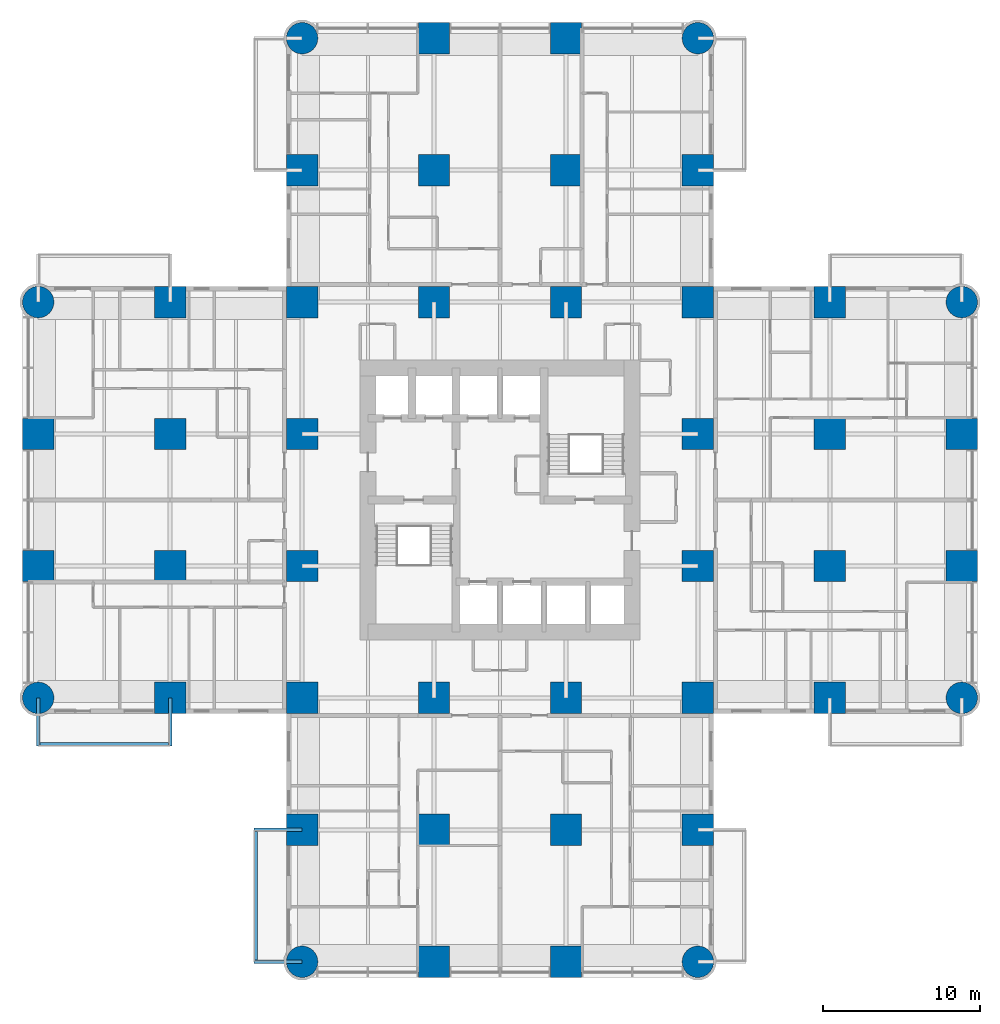
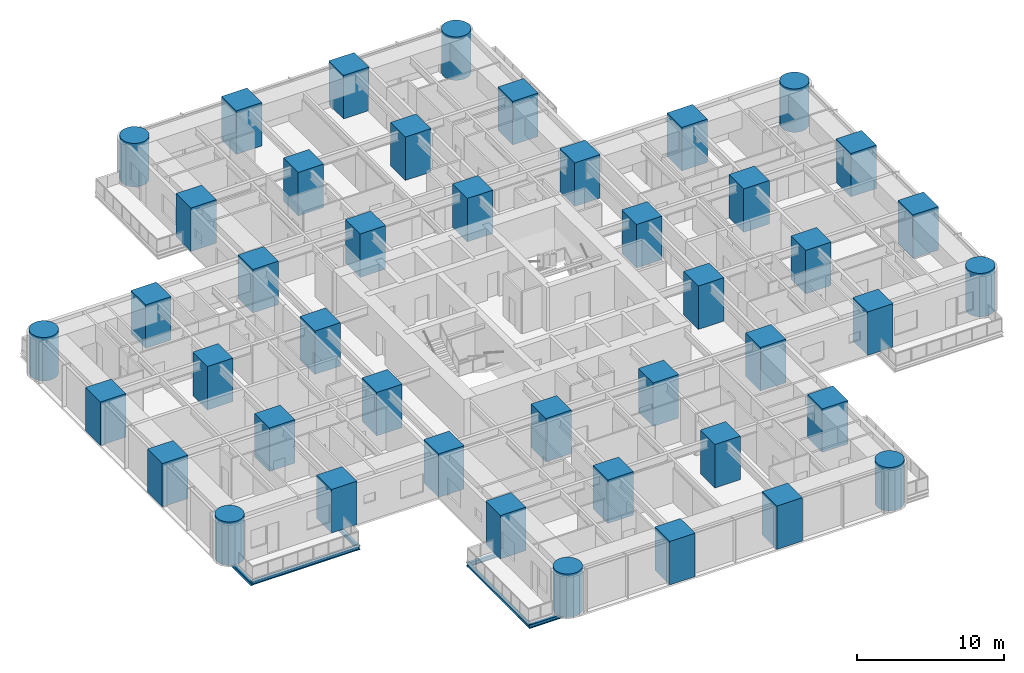
# One storey, part 1 of 17: 44 columns, 6 beams.
"""IFC4 building model written with IfcOpenShell, lengths in metres."""

from ifc_helpers import new_model, si_unit, direction, frame, origin, origin_2d, place, context, subcontext, project, spatial, rectangle, circle, i_section, extrude, material, material_profile, profile_set, type_object, element, save


model = new_model("IFC4")

# Units and contexts
model_context = context("Model", 3, precision=1e-05, world=origin(), true_north=direction((0.0, 1.0)))
body_context = subcontext(model_context, "Body", "Model", "MODEL_VIEW")
ifc_project = project(units=[si_unit("LENGTHUNIT", "METRE"), si_unit("AREAUNIT", "SQUARE_METRE"), si_unit("VOLUMEUNIT", "CUBIC_METRE"), si_unit("PLANEANGLEUNIT", "RADIAN"), si_unit("MASSUNIT", "GRAM", prefix="KILO")], contexts=[model_context])

# Site, building, storey
site_placement = place(None, origin())
site = spatial("IfcSite", under=ifc_project, at=site_placement, CompositionType="ELEMENT")
building_placement = place(site_placement, origin())
building = spatial("IfcBuilding", under=site, at=building_placement, Name="Torre Alcanfor", CompositionType="ELEMENT")
storey_placement = place(building_placement, frame((0.0, 0.0, 95.699951171875)))
storey = spatial("IfcBuildingStorey", under=building, at=storey_placement, Name="L24", CompositionType="ELEMENT", Elevation=95.699951171875)

# Columns
ifc_material_1 = material(Name="Concrete f'c 70 MPa", Category="concrete")
ifc_material_profile_1 = material_profile(ifc_material_1, rectangle(XDim=2.0, YDim=2.0, at=origin_2d()), Name="2000x2000")
ifc_profile_set_1 = profile_set([ifc_material_profile_1], Name="Concrete f'c 70 MPa")
column_type_1 = type_object("IfcColumnType", Name="RC column 2000x2000 f'c70", PredefinedType="COLUMN", material=ifc_profile_set_1)
for number, where, z_axis, x_axis, name in (
    (1, (0.0, 25.199951171875, 0.0), (0.0, 0.0, 1.0), (1.0, 0.0, 0.0), "Column 1/F L24"),
    (2, (0.0, 33.60009765625, 0.0), (0.0, 0.0, 1.0), (1.0, 0.0, 0.0), "Column 1/G L24"),
    (3, (8.39990234375, 16.800048828125, 0.0), (0.0, 0.0, 1.0), (1.0, 0.0, 0.0), "Column 2/E L24"),
    (4, (8.39990234375, 25.199951171875, 0.0), (0.0, 0.0, 1.0), (1.0, 0.0, 0.0), "Column 2/F L24"),
    (5, (8.39990234375, 33.60009765625, 0.0), (0.0, 0.0, 1.0), (1.0, 0.0, 0.0), "Column 2/G L24"),
    (6, (8.39990234375, 42.0, 0.0), (0.0, 0.0, 1.0), (1.0, 0.0, 0.0), "Column 2/H L24"),
    (7, (16.800048828125, 8.39990234375, 0.0), (0.0, 0.0, 1.0), (1.0, 0.0, 0.0), "Column 3/D L24"),
    (8, (16.800048828125, 16.800048828125, 0.0), (0.0, 0.0, 1.0), (1.0, 0.0, 0.0), "Column 3/E L24"),
    (9, (16.800048828125, 25.199951171875, 0.0), (0.0, 0.0, 1.0), (1.0, 0.0, 0.0), "Column 3/F L24"),
    (10, (16.800048828125, 33.60009765625, 0.0), (0.0, 0.0, 1.0), (1.0, 0.0, 0.0), "Column 3/G L24"),
    (11, (16.800048828125, 42.0, 0.0), (0.0, 0.0, 1.0), (1.0, 0.0, 0.0), "Column 3/H L24"),
    (12, (16.800048828125, 50.39990234375, 0.0), (0.0, 0.0, 1.0), (1.0, 0.0, 0.0), "Column 3/J L24"),
    (13, (25.199951171875, 0.0, 0.0), (0.0, 0.0, 1.0), (1.0, 0.0, 0.0), "Column 4/C L24"),
    (14, (25.199951171875, 8.39990234375, 0.0), (0.0, 0.0, 1.0), (1.0, 0.0, 0.0), "Column 4/D L24"),
    (15, (25.199951171875, 16.800048828125, 0.0), (0.0, 0.0, 1.0), (1.0, 0.0, 0.0), "Column 4/E L24"),
    (16, (25.199951171875, 42.0, 0.0), (0.0, 0.0, 1.0), (1.0, 0.0, 0.0), "Column 4/H L24"),
    (17, (25.199951171875, 50.39990234375, 0.0), (0.0, 0.0, 1.0), (1.0, 0.0, 0.0), "Column 4/J L24"),
    (18, (25.199951171875, 58.800048828125, 0.0), (0.0, 0.0, 1.0), (1.0, 0.0, 0.0), "Column 4/K L24"),
    (19, (33.60009765625, 0.0, 0.0), (0.0, 0.0, 1.0), (1.0, 0.0, 0.0), "Column 5/C L24"),
    (20, (33.60009765625, 8.39990234375, 0.0), (0.0, 0.0, 1.0), (1.0, 0.0, 0.0), "Column 5/D L24"),
    (21, (33.60009765625, 16.800048828125, 0.0), (0.0, 0.0, 1.0), (1.0, 0.0, 0.0), "Column 5/E L24"),
    (22, (33.60009765625, 42.0, 0.0), (0.0, 0.0, 1.0), (1.0, 0.0, 0.0), "Column 5/H L24"),
    (23, (33.60009765625, 50.39990234375, 0.0), (0.0, 0.0, 1.0), (1.0, 0.0, 0.0), "Column 5/J L24"),
    (24, (33.60009765625, 58.800048828125, 0.0), (0.0, 0.0, 1.0), (1.0, 0.0, 0.0), "Column 5/K L24"),
    (25, (42.0, 8.39990234375, 0.0), (0.0, 0.0, 1.0), (1.0, 0.0, 0.0), "Column 6/D L24"),
    (26, (42.0, 16.800048828125, 0.0), (0.0, 0.0, 1.0), (1.0, 0.0, 0.0), "Column 6/E L24"),
    (27, (42.0, 25.199951171875, 0.0), (0.0, 0.0, 1.0), (1.0, 0.0, 0.0), "Column 6/F L24"),
    (28, (42.0, 33.60009765625, 0.0), (0.0, 0.0, 1.0), (1.0, 0.0, 0.0), "Column 6/G L24"),
    (29, (42.0, 42.0, 0.0), (0.0, 0.0, 1.0), (1.0, 0.0, 0.0), "Column 6/H L24"),
    (30, (42.0, 50.39990234375, 0.0), (0.0, 0.0, 1.0), (1.0, 0.0, 0.0), "Column 6/J L24"),
    (31, (50.39990234375, 16.800048828125, 0.0), (0.0, 0.0, 1.0), (1.0, 0.0, 0.0), "Column 7/E L24"),
    (32, (50.39990234375, 25.199951171875, 0.0), (0.0, 0.0, 1.0), (1.0, 0.0, 0.0), "Column 7/F L24"),
    (33, (50.39990234375, 33.60009765625, 0.0), (0.0, 0.0, 1.0), (1.0, 0.0, 0.0), "Column 7/G L24"),
    (34, (50.39990234375, 42.0, 0.0), (0.0, 0.0, 1.0), (1.0, 0.0, 0.0), "Column 7/H L24"),
    (35, (58.800048828125, 25.199951171875, 0.0), (0.0, 0.0, 1.0), (1.0, 0.0, 0.0), "Column 8/F L24"),
    (36, (58.800048828125, 33.60009765625, 0.0), (0.0, 0.0, 1.0), (1.0, 0.0, 0.0), "Column 8/G L24"),
):
    element("IfcColumn", number, at=place(storey_placement, frame(where, z_axis=z_axis, x_axis=x_axis)), inside=storey, type_object=column_type_1, Name=name, PredefinedType="COLUMN", context=body_context, shape_type="SweptSolid", body=[
        extrude(rectangle(XDim=2.0, YDim=2.0, at=origin_2d()), origin(), (0.0, 0.0, 1.0), 3.60009765625),
    ])
ifc_material_2 = material(Name="Concrete f'c 70 MPa", Category="concrete")
ifc_material_profile_2 = material_profile(ifc_material_2, circle(Radius=1.0, at=origin_2d()), Name="D2000")
ifc_profile_set_2 = profile_set([ifc_material_profile_2], Name="Concrete f'c 70 MPa")
column_type_2 = type_object("IfcColumnType", Name="RC column D2000 f'c70", PredefinedType="COLUMN", material=ifc_profile_set_2)
for number, where, z_axis, x_axis, name in (
    (37, (0.0, 16.800048828125, 0.0), (0.0, 0.0, 1.0), (1.0, 0.0, 0.0), "Column 1/E L24"),
    (38, (0.0, 42.0, 0.0), (0.0, 0.0, 1.0), (1.0, 0.0, 0.0), "Column 1/H L24"),
    (39, (16.800048828125, 0.0, 0.0), (0.0, 0.0, 1.0), (1.0, 0.0, 0.0), "Column 3/C L24"),
    (40, (16.800048828125, 58.800048828125, 0.0), (0.0, 0.0, 1.0), (1.0, 0.0, 0.0), "Column 3/K L24"),
    (41, (42.0, 0.0, 0.0), (0.0, 0.0, 1.0), (1.0, 0.0, 0.0), "Column 6/C L24"),
    (42, (42.0, 58.800048828125, 0.0), (0.0, 0.0, 1.0), (1.0, 0.0, 0.0), "Column 6/K L24"),
    (43, (58.800048828125, 16.800048828125, 0.0), (0.0, 0.0, 1.0), (1.0, 0.0, 0.0), "Column 8/E L24"),
    (44, (58.800048828125, 42.0, 0.0), (0.0, 0.0, 1.0), (1.0, 0.0, 0.0), "Column 8/H L24"),
):
    element("IfcColumn", number, at=place(storey_placement, frame(where, z_axis=z_axis, x_axis=x_axis)), inside=storey, type_object=column_type_2, Name=name, PredefinedType="COLUMN", context=body_context, shape_type="SweptSolid", body=[
        extrude(circle(Radius=1.0, at=origin_2d()), origin(), (0.0, 0.0, 1.0), 3.60009765625),
    ])

# Beams
ifc_material_3 = material(Name="Steel ASTM A992 Grade 50", Category="steel")
ifc_material_profile_3 = material_profile(ifc_material_3, i_section(OverallWidth=0.205322265625, OverallDepth=0.309814453125, WebThickness=0.00927734375, FlangeThickness=0.016357421875, at=origin_2d()), Name="W12x50")
ifc_profile_set_3 = profile_set([ifc_material_profile_3], Name="Steel ASTM A992 Grade 50")
beam_type_1 = type_object("IfcBeamType", Name="Balcony cantilever beam W12x50", PredefinedType="BEAM", material=ifc_profile_set_3)
for number, where, z_axis, x_axis, name in (
    (45, (16.800048828125, 8.39990234375, -0.35498046875), (-1.0, 0.0, 0.0), (0.0, -1.0, 0.0), "Balcony cantilever beam L24-S2 1"),
    (46, (16.800048828125, 0.0, -0.35498046875), (-1.0, 0.0, 0.0), (0.0, -1.0, 0.0), "Balcony cantilever beam L24-S2 2"),
    (47, (8.39990234375, 16.800048828125, -0.35498046875), (0.0, -1.0, 0.0), (1.0, 0.0, 0.0), "Balcony cantilever beam L24-W1 1"),
    (48, (0.0, 16.800048828125, -0.35498046875), (0.0, -1.0, 0.0), (1.0, 0.0, 0.0), "Balcony cantilever beam L24-W1 2"),
):
    element("IfcBeam", number, at=place(storey_placement, frame(where, z_axis=z_axis, x_axis=x_axis)), inside=storey, type_object=beam_type_1, Name=name, PredefinedType="BEAM", context=body_context, shape_type="SweptSolid", body=[
        extrude(i_section(OverallWidth=0.205322265625, OverallDepth=0.309814453125, WebThickness=0.00927734375, FlangeThickness=0.016357421875, at=origin_2d()), origin(), (0.0, 0.0, 1.0), 3.050048828125),
    ])
ifc_material_4 = material(Name="Steel ASTM A992 Grade 50", Category="steel")
ifc_material_profile_4 = material_profile(ifc_material_4, i_section(OverallWidth=0.203369140625, OverallDepth=0.30224609375, WebThickness=0.007568359375, FlangeThickness=0.01318359375, at=origin_2d()), Name="W12x40")
ifc_profile_set_4 = profile_set([ifc_material_profile_4], Name="Steel ASTM A992 Grade 50")
beam_type_2 = type_object("IfcBeamType", Name="Balcony edge trimmer W12x40", PredefinedType="BEAM", material=ifc_profile_set_4)
for number, where, z_axis, x_axis, name in (
    (49, (13.851806640625, 8.39990234375, -0.35107421875), (0.0, -1.0, 0.0), (1.0, 0.0, 0.0), "Balcony edge trimmer L24-S2"),
    (50, (8.39990234375, 13.851806640625, -0.35107421875), (-1.0, 0.0, 0.0), (0.0, -1.0, 0.0), "Balcony edge trimmer L24-W1"),
):
    element("IfcBeam", number, at=place(storey_placement, frame(where, z_axis=z_axis, x_axis=x_axis)), inside=storey, type_object=beam_type_2, Name=name, PredefinedType="BEAM", context=body_context, shape_type="SweptSolid", body=[
        extrude(i_section(OverallWidth=0.203369140625, OverallDepth=0.30224609375, WebThickness=0.007568359375, FlangeThickness=0.01318359375, at=origin_2d()), origin(), (0.0, 0.0, 1.0), 8.39990234375),
    ])

save(model, "model.ifc")
